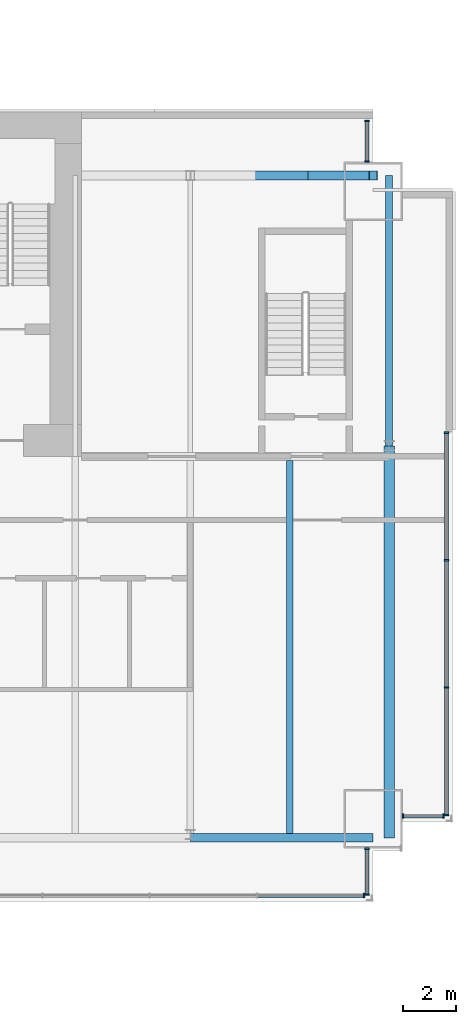
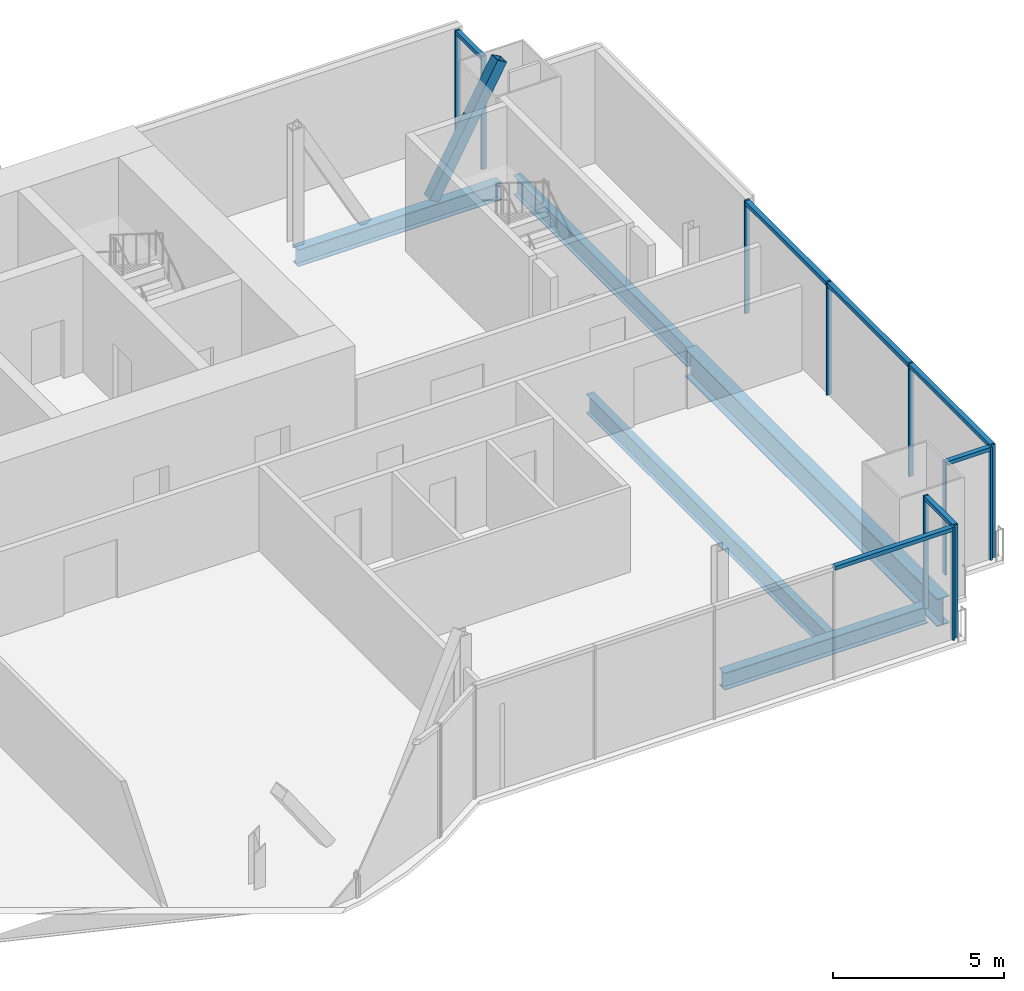
# One storey, part 12 of 20: 19 members, 5 beams, 5 elements without a shape of their own.
"""IFC4 building model written with IfcOpenShell, lengths in metres."""

import ifcopenshell
import ifcopenshell.guid

model = None  # the IFC model being written
_history = None  # IfcOwnerHistory: only IFC2X3 demands one
_inside = {}  # id of a spatial element -> (the spatial element, [elements in it])
_under = {}  # id of a project, library or spatial element -> (it, [spatial elements below it])
_declared = {}  # id of a project -> (the project, [libraries it declares])
_typed = {}  # id of a type object -> (the type object, [elements of that type])
_made_of = {}  # id of a material, layer set ... -> (it, [elements and type objects made of it])


def new_model(schema):
    """Start an empty IFC model of exactly this schema.

    Asked for "IFC4X3", IfcOpenShell would pick the latest addendum, in which some entities
    have other attributes; the version numbers below select the first issue.
    IFC2X3 requires an IfcOwnerHistory on every rooted entity: one is made here for all.
    """
    global model, _history
    if schema == "IFC4X3":
        model = ifcopenshell.file(schema_version=(4, 3, 0, 0))
    else:
        model = ifcopenshell.file(schema=schema)
    _inside.clear()
    _under.clear()
    _declared.clear()
    _typed.clear()
    _made_of.clear()
    _history = None
    if model.schema == "IFC2X3":
        org = make("IfcOrganization", Name="unknown")
        user = make(
            "IfcPersonAndOrganization",
            ThePerson=make("IfcPerson", FamilyName="unknown"),
            TheOrganization=org,
        )
        app = make(
            "IfcApplication",
            ApplicationDeveloper=org,
            Version="unknown",
            ApplicationFullName="unknown",
            ApplicationIdentifier="unknown",
        )
        _history = make(
            "IfcOwnerHistory",
            OwningUser=user,
            OwningApplication=app,
            ChangeAction="ADDED",
            CreationDate=0,
        )
    return model


def make(cls, **values):
    """One entity of the class cls with the attributes given. An attribute that is None is left unset."""
    return model.create_entity(
        cls, **{name: value for name, value in values.items() if value is not None}
    )


def rooted(cls, **values):
    """An entity with a GlobalId (a new one), such as an element, a storey or a relation."""
    return make(cls, GlobalId=ifcopenshell.guid.new(), OwnerHistory=_history, **values)


def si_unit(unit_type, name, prefix=None):
    """IfcSIUnit, for example si_unit("LENGTHUNIT", "METRE", prefix="MILLI")."""
    return make("IfcSIUnit", UnitType=unit_type, Prefix=prefix, Name=name)


def assignment(units):
    """IfcUnitAssignment: the units of a project."""
    return None if units is None else make("IfcUnitAssignment", Units=units)


def point(xyz):
    """IfcCartesianPoint."""
    return None if xyz is None else make("IfcCartesianPoint", Coordinates=xyz)


def direction(xyz):
    """IfcDirection."""
    return None if xyz is None else make("IfcDirection", DirectionRatios=xyz)


def frame(location, z_axis=None, x_axis=None):
    """IfcAxis2Placement3D, a coordinate frame: its origin and axes. An axis left out is left unset."""
    return make(
        "IfcAxis2Placement3D",
        Location=point(location),
        Axis=direction(z_axis),
        RefDirection=direction(x_axis),
    )


def frame_2d(location, x_axis=None):
    """IfcAxis2Placement2D, a coordinate frame in the plane: its origin and x axis."""
    return make(
        "IfcAxis2Placement2D", Location=point(location), RefDirection=direction(x_axis)
    )


def origin():
    """The frame at (0, 0, 0) with its axes left unset."""
    return frame((0.0, 0.0, 0.0))


def origin_2d():
    """The frame at (0, 0) in the plane with its x axis left unset."""
    return frame_2d((0.0, 0.0))


def place(relative_to, where):
    """IfcLocalPlacement: puts the frame where relative to a parent placement (None: the world)."""
    return make(
        "IfcLocalPlacement", PlacementRelTo=relative_to, RelativePlacement=where
    )


def context(
    kind, dimensions, precision=None, world=None, true_north=None, identifier=None
):
    """IfcGeometricRepresentationContext, for example the 3D "Model" context."""
    return make(
        "IfcGeometricRepresentationContext",
        ContextIdentifier=identifier,
        ContextType=kind,
        CoordinateSpaceDimension=dimensions,
        Precision=precision,
        WorldCoordinateSystem=world,
        TrueNorth=true_north,
    )


def subcontext(parent, identifier, kind, view, scale=None):
    """IfcGeometricRepresentationSubContext, for example "Body" below "Model"."""
    return make(
        "IfcGeometricRepresentationSubContext",
        ContextIdentifier=identifier,
        ContextType=kind,
        ParentContext=parent,
        TargetScale=scale,
        TargetView=view,
    )


def project(units=None, contexts=None):
    """IfcProject with its units and contexts."""
    return rooted(
        "IfcProject",
        Name="project",
        RepresentationContexts=contexts,
        UnitsInContext=assignment(units),
    )


def spatial(cls, under=None, at=None, **own):
    """A site, building, storey or space (cls), placed at a placement, below another one or the project."""
    s = rooted(cls, ObjectPlacement=at, **own)
    if under is not None:
        _under.setdefault(under.id(), (under, []))[1].append(s)
    return s


def profile(cls, at=None, kind="AREA", **sizes):
    """A parametric profile (cls). Its sizes go by their IFC names, for example OverallWidth=200.0."""
    return make(cls, ProfileType=kind, Position=at, **sizes)


def rectangle(**sizes):
    """IfcRectangleProfileDef."""
    return profile("IfcRectangleProfileDef", **sizes)


def hollow_rectangle(**sizes):
    """IfcRectangleHollowProfileDef."""
    return profile("IfcRectangleHollowProfileDef", **sizes)


def i_section(**sizes):
    """IfcIShapeProfileDef."""
    return profile("IfcIShapeProfileDef", **sizes)


def extrude(swept, where, along, depth):
    """IfcExtrudedAreaSolid: the profile swept, set in the frame where, extruded along a direction by depth."""
    return make(
        "IfcExtrudedAreaSolid",
        SweptArea=swept,
        Position=where,
        ExtrudedDirection=direction(along),
        Depth=depth,
    )


def shape(context_of_items, identifier, shape_type, items):
    """IfcShapeRepresentation: the items that make up one representation, for example the "Body"."""
    return make(
        "IfcShapeRepresentation",
        ContextOfItems=context_of_items,
        RepresentationIdentifier=identifier,
        RepresentationType=shape_type,
        Items=items,
    )


def material(Name=None, Category=None):
    """IfcMaterial."""
    return make("IfcMaterial", Name=Name, Category=Category)


def material_profile(
    of_material, cross_section, Name=None, Category=None, Priority=None
):
    """IfcMaterialProfile: a cross section and its material."""
    return make(
        "IfcMaterialProfile",
        Name=Name,
        Material=of_material,
        Profile=cross_section,
        Priority=Priority,
        Category=Category,
    )


def profile_set(profiles, Name=None, composite=None):
    """IfcMaterialProfileSet."""
    return make(
        "IfcMaterialProfileSet",
        Name=Name,
        MaterialProfiles=profiles,
        CompositeProfile=composite,
    )


def made_of(thing, what):
    """Note that an element or type object is made of a material, layer set ...; save() writes the relation."""
    if what is not None:
        _made_of.setdefault(what.id(), (what, []))[1].append(thing)
    return thing


def type_object(cls, material=None, **own):
    """A type object (cls), such as IfcWallType, which elements share."""
    return made_of(rooted(cls, **own), material)


def element(
    cls,
    number,
    at=None,
    inside=None,
    cuts=None,
    type_object=None,
    material=None,
    context=None,
    identifier="Body",
    shape_type=None,
    held_by="IfcProductDefinitionShape",
    body=None,
    shapes=None,
    **own,
):
    """One element of the class cls, such as IfcWall. Its Tag is "e" and its number.

    at: its placement. inside: the storey or other place that contains it. cuts: it is an
    opening in that element (IfcRelVoidsElement). A single representation is given by context,
    identifier, shape_type and body (its items); several are given by shapes. held_by: the class
    of the entity that holds the representations. save() writes the other relations.
    """
    e = rooted(cls, Tag="e%d" % number, ObjectPlacement=at, **own)
    if body is not None:
        shapes = [shape(context, identifier, shape_type, body)]
    if shapes is not None:
        e.Representation = make(held_by, Representations=shapes)
    if inside is not None:
        _inside.setdefault(inside.id(), (inside, []))[1].append(e)
    if cuts is not None:
        rooted(
            "IfcRelVoidsElement", RelatingBuildingElement=cuts, RelatedOpeningElement=e
        )
    if type_object is not None:
        _typed.setdefault(type_object.id(), (type_object, []))[1].append(e)
    return made_of(e, material)


def aggregate(whole, parts):
    """IfcRelAggregates: a whole, such as a stair, and the parts it consists of."""
    return rooted("IfcRelAggregates", RelatingObject=whole, RelatedObjects=parts)


def save(model, path):
    """Write the relations noted so far, then the file.

    IfcRelAggregates (storeys below a building ...), IfcRelContainedInSpatialStructure (elements
    in a storey), IfcRelDefinesByType, IfcRelAssociatesMaterial and IfcRelDeclares: one each for
    every whole, place, type object, material and project.
    """
    for whole, parts in _under.values():
        aggregate(whole, parts)
    for where, things in _inside.values():
        rooted(
            "IfcRelContainedInSpatialStructure",
            RelatedElements=things,
            RelatingStructure=where,
        )
    for kind, things in _typed.values():
        rooted("IfcRelDefinesByType", RelatedObjects=things, RelatingType=kind)
    for what, things in _made_of.values():
        rooted("IfcRelAssociatesMaterial", RelatedObjects=things, RelatingMaterial=what)
    for by, libraries in _declared.values():
        rooted("IfcRelDeclares", RelatingContext=by, RelatedDefinitions=libraries)
    model.write(path)


model = new_model("IFC4")

# Units and contexts
model_context = context("Model", 3, precision=1e-05, world=origin(), true_north=direction((0.0, 1.0)))
body_context = subcontext(model_context, "Body", "Model", "MODEL_VIEW")
ifc_project = project(units=[si_unit("LENGTHUNIT", "METRE"), si_unit("AREAUNIT", "SQUARE_METRE"), si_unit("VOLUMEUNIT", "CUBIC_METRE"), si_unit("PLANEANGLEUNIT", "RADIAN"), si_unit("MASSUNIT", "GRAM", prefix="KILO")], contexts=[model_context])

# Site, building, storey
site_placement = place(None, origin())
site = spatial("IfcSite", under=ifc_project, at=site_placement, CompositionType="ELEMENT")
building_placement = place(site_placement, origin())
building = spatial("IfcBuilding", under=site, at=building_placement, Name="Bicima Exchange Tower", CompositionType="ELEMENT")
storey_placement = place(building_placement, frame((0.0, 0.0, 249.800048828125)))
storey = spatial("IfcBuildingStorey", under=building, at=storey_placement, Name="L56", CompositionType="ELEMENT", Elevation=249.800048828125)

# Curtain wall, members
ifc_material_1 = material(Name="Anodised bronze aluminium", Category="aluminium")
curtain_wall_type_1 = type_object("IfcCurtainWallType", Name="End face glass wall", PredefinedType="NOTDEFINED", material=ifc_material_1)
curtain_wall_1_placement = place(storey_placement, origin())
curtain_wall_1 = element("IfcCurtainWall", 1, at=curtain_wall_1_placement, inside=storey, type_object=curtain_wall_type_1, Name="End face glass wall L56 run 19", PredefinedType="NOTDEFINED")
ifc_material_profile_1 = material_profile(ifc_material_1, rectangle(XDim=0.159912109375, YDim=0.06005859375, at=origin_2d()))
ifc_profile_set_1 = profile_set([ifc_material_profile_1], Name="Anodised bronze aluminium")
member_type_1 = type_object("IfcMemberType", Name="End face glass wall mullion 60 x 160", PredefinedType="MULLION", material=ifc_profile_set_1)
member_1_placement = place(storey_placement, frame((35.77001953125, -26.5400390625, 0.0), z_axis=(0.0, 0.0, 1.0), x_axis=(-1.0, 0.0, 0.0)))
member_1 = element("IfcMember", 2, at=member_1_placement, type_object=member_type_1, Name="End face glass wall mullion 1", PredefinedType="MULLION", context=body_context, shape_type="SweptSolid", body=[
    extrude(rectangle(XDim=0.159912109375, YDim=0.06005859375, at=origin_2d()), origin(), (0.0, 0.0, 1.0), 4.050048828125),
])
member_2_placement = place(storey_placement, frame((35.77001953125, -21.72998046875, 0.0), z_axis=(0.0, 0.0, 1.0), x_axis=(-1.0, 0.0, 0.0)))
member_2 = element("IfcMember", 3, at=member_2_placement, type_object=member_type_1, Name="End face glass wall mullion 2", PredefinedType="MULLION", context=body_context, shape_type="SweptSolid", body=[
    extrude(rectangle(XDim=0.159912109375, YDim=0.06005859375, at=origin_2d()), origin(), (0.0, 0.0, 1.0), 4.050048828125),
])
member_3_placement = place(storey_placement, frame((35.77001953125, -16.919921875, 0.0), z_axis=(0.0, 0.0, 1.0), x_axis=(-1.0, 0.0, 0.0)))
member_3 = element("IfcMember", 4, at=member_3_placement, type_object=member_type_1, Name="End face glass wall mullion 3", PredefinedType="MULLION", context=body_context, shape_type="SweptSolid", body=[
    extrude(rectangle(XDim=0.159912109375, YDim=0.06005859375, at=origin_2d()), origin(), (0.0, 0.0, 1.0), 4.050048828125),
])
member_4_placement = place(storey_placement, frame((35.77001953125, -12.110107421875, 0.0), z_axis=(0.0, 0.0, 1.0), x_axis=(-1.0, 0.0, 0.0)))
member_4 = element("IfcMember", 5, at=member_4_placement, type_object=member_type_1, Name="End face glass wall mullion 4", PredefinedType="MULLION", context=body_context, shape_type="SweptSolid", body=[
    extrude(rectangle(XDim=0.159912109375, YDim=0.06005859375, at=origin_2d()), origin(), (0.0, 0.0, 1.0), 4.050048828125),
])
ifc_material_profile_2 = material_profile(ifc_material_1, rectangle(XDim=0.159912109375, YDim=0.139892578125, at=origin_2d()))
ifc_profile_set_2 = profile_set([ifc_material_profile_2], Name="Anodised bronze aluminium")
member_type_2 = type_object("IfcMemberType", Name="End face glass wall transom 140 x 160", PredefinedType="USERDEFINED", material=ifc_profile_set_2)
member_5_placement = place(storey_placement, frame((35.77001953125, -26.510009765625, 3.97998046875), z_axis=(0.0, 1.0, 0.0), x_axis=(-1.0, 0.0, 0.0)))
member_5 = element("IfcMember", 6, at=member_5_placement, type_object=member_type_2, Name="End face glass wall transom 1.1", ObjectType="TRANSOM", PredefinedType="USERDEFINED", context=body_context, shape_type="SweptSolid", body=[
    extrude(rectangle(XDim=0.159912109375, YDim=0.139892578125, at=origin_2d()), origin(), (0.0, 0.0, 1.0), 4.75),
])
member_6_placement = place(storey_placement, frame((35.77001953125, -21.699951171875, 3.97998046875), z_axis=(0.0, 1.0, 0.0), x_axis=(-1.0, 0.0, 0.0)))
member_6 = element("IfcMember", 7, at=member_6_placement, type_object=member_type_2, Name="End face glass wall transom 2.1", ObjectType="TRANSOM", PredefinedType="USERDEFINED", context=body_context, shape_type="SweptSolid", body=[
    extrude(rectangle(XDim=0.159912109375, YDim=0.139892578125, at=origin_2d()), origin(), (0.0, 0.0, 1.0), 4.75),
])
member_7_placement = place(storey_placement, frame((35.77001953125, -16.889892578125, 3.97998046875), z_axis=(0.0, 1.0, 0.0), x_axis=(-1.0, 0.0, 0.0)))
member_7 = element("IfcMember", 8, at=member_7_placement, type_object=member_type_2, Name="End face glass wall transom 3.1", ObjectType="TRANSOM", PredefinedType="USERDEFINED", context=body_context, shape_type="SweptSolid", body=[
    extrude(rectangle(XDim=0.159912109375, YDim=0.139892578125, at=origin_2d()), origin(), (0.0, 0.0, 1.0), 4.75),
])
aggregate(curtain_wall_1, [member_1, member_2, member_3, member_4, member_5, member_6, member_7])

# Beams
ifc_material_2 = material(Name="Steel ASTM A992 Gr 50", Category="steel")
ifc_material_profile_3 = material_profile(ifc_material_2, i_section(OverallWidth=0.256591796875, OverallDepth=0.693359375, WebThickness=0.014404296875, FlangeThickness=0.023681640625, at=origin_2d()))
ifc_profile_set_3 = profile_set([ifc_material_profile_3], Name="Steel ASTM A992 Gr 50")
beam_type_1 = type_object("IfcBeamType", Name="End girder W27x114", PredefinedType="BEAM", material=ifc_profile_set_3)
beam_1_placement = place(storey_placement, frame((33.60009765625, -2.39990234375, -0.496826171875), z_axis=(0.0, -1.0, 0.0), x_axis=(1.0, 0.0, 0.0)))
element("IfcBeam", 9, at=beam_1_placement, inside=storey, type_object=beam_type_1, Name="End girder", PredefinedType="BEAM", context=body_context, shape_type="SweptSolid", body=[
    extrude(i_section(OverallWidth=0.256591796875, OverallDepth=0.693359375, WebThickness=0.014404296875, FlangeThickness=0.023681640625, at=origin_2d()), origin(), (0.0, 0.0, 1.0), 10.2001953125),
])
ifc_material_profile_4 = material_profile(ifc_material_2, i_section(OverallWidth=0.4013671875, OverallDepth=0.990478515625, WebThickness=0.0166015625, FlangeThickness=0.031005859375, at=origin_2d()))
ifc_profile_set_4 = profile_set([ifc_material_profile_4], Name="Steel ASTM A992 Gr 50")
beam_type_2 = type_object("IfcBeamType", Name="End girder W40x215", PredefinedType="BEAM", material=ifc_profile_set_4)
beam_2_placement = place(storey_placement, frame((33.60009765625, -12.60009765625, -0.645263671875), z_axis=(0.0, -1.0, 0.0), x_axis=(1.0, 0.0, 0.0)))
element("IfcBeam", 10, at=beam_2_placement, inside=storey, type_object=beam_type_2, Name="End girder", PredefinedType="BEAM", context=body_context, shape_type="SweptSolid", body=[
    extrude(i_section(OverallWidth=0.4013671875, OverallDepth=0.990478515625, WebThickness=0.0166015625, FlangeThickness=0.031005859375, at=origin_2d()), origin(), (0.0, 0.0, 1.0), 14.7998046875),
])
ifc_material_profile_5 = material_profile(ifc_material_2, i_section(OverallWidth=0.25390625, OverallDepth=0.67822265625, WebThickness=0.01171875, FlangeThickness=0.016357421875, at=origin_2d()))
ifc_profile_set_5 = profile_set([ifc_material_profile_5], Name="Steel ASTM A992 Gr 50")
beam_type_3 = type_object("IfcBeamType", Name="Floor beam W27x84", PredefinedType="JOIST", material=ifc_profile_set_5)
beam_3_placement = place(storey_placement, frame((29.85009765625, -13.15234375, -0.4892578125), z_axis=(0.0, -1.0, 0.0), x_axis=(1.0, 0.0, 0.0)))
element("IfcBeam", 11, at=beam_3_placement, inside=storey, type_object=beam_type_3, Name="Floor beam", PredefinedType="JOIST", context=body_context, shape_type="SweptSolid", body=[
    extrude(i_section(OverallWidth=0.25390625, OverallDepth=0.67822265625, WebThickness=0.01171875, FlangeThickness=0.016357421875, at=origin_2d()), origin(), (0.0, 0.0, 1.0), 14.0849609375),
])
ifc_material_profile_6 = material_profile(ifc_material_2, i_section(OverallWidth=0.3251953125, OverallDepth=0.612060546875, WebThickness=0.0126953125, FlangeThickness=0.01904296875, at=origin_2d()))
ifc_profile_set_6 = profile_set([ifc_material_profile_6], Name="Steel ASTM A992 Gr 50")
beam_type_4 = type_object("IfcBeamType", Name="Front girder W24x104", PredefinedType="BEAM", material=ifc_profile_set_6)
beam_4_placement = place(storey_placement, frame((26.10009765625, -27.39990234375, -0.4560546875), z_axis=(1.0, 0.0, 0.0), x_axis=(0.0, 1.0, 0.0)))
element("IfcBeam", 12, at=beam_4_placement, inside=storey, type_object=beam_type_4, Name="Front girder", PredefinedType="BEAM", context=body_context, shape_type="SweptSolid", body=[
    extrude(i_section(OverallWidth=0.3251953125, OverallDepth=0.612060546875, WebThickness=0.0126953125, FlangeThickness=0.01904296875, at=origin_2d()), origin(), (0.0, 0.0, 1.0), 6.89990234375),
])

# Curtain wall, member
curtain_wall_type_2 = type_object("IfcCurtainWallType", Name="Front glass wall", PredefinedType="NOTDEFINED", material=ifc_material_1)
curtain_wall_2_placement = place(storey_placement, origin())
curtain_wall_2 = element("IfcCurtainWall", 13, at=curtain_wall_2_placement, inside=storey, type_object=curtain_wall_type_2, Name="Front glass wall L56 run 16", PredefinedType="NOTDEFINED")
member_type_3 = type_object("IfcMemberType", Name="Front glass wall mullion 60 x 160", PredefinedType="MULLION", material=ifc_profile_set_1)
member_8_placement = place(storey_placement, frame((32.659912109375, -29.570068359375, 0.0), z_axis=(0.0, 0.0, 1.0), x_axis=(0.0, 1.0, 0.0)))
member_8 = element("IfcMember", 14, at=member_8_placement, type_object=member_type_3, Name="Front glass wall mullion 5", PredefinedType="MULLION", context=body_context, shape_type="SweptSolid", body=[
    extrude(rectangle(XDim=0.159912109375, YDim=0.06005859375, at=origin_2d()), origin(), (0.0, 0.0, 1.0), 4.050048828125),
])

# Curtain wall, members
curtain_wall_3_placement = place(storey_placement, origin())
curtain_wall_3 = element("IfcCurtainWall", 15, at=curtain_wall_3_placement, inside=storey, type_object=curtain_wall_type_2, Name="Front glass wall L56 run 17", PredefinedType="NOTDEFINED")
member_9_placement = place(storey_placement, frame((32.77001953125, -29.5400390625, 0.0), z_axis=(0.0, 0.0, 1.0), x_axis=(-1.0, 0.0, 0.0)))
member_9 = element("IfcMember", 16, at=member_9_placement, type_object=member_type_3, Name="Front glass wall mullion 1", PredefinedType="MULLION", context=body_context, shape_type="SweptSolid", body=[
    extrude(rectangle(XDim=0.159912109375, YDim=0.06005859375, at=origin_2d()), origin(), (0.0, 0.0, 1.0), 4.050048828125),
])
member_10_placement = place(storey_placement, frame((32.77001953125, -27.80810546875, 0.0), z_axis=(0.0, 0.0, 1.0), x_axis=(-1.0, 0.0, 0.0)))
member_10 = element("IfcMember", 17, at=member_10_placement, type_object=member_type_3, Name="Front glass wall mullion 2", PredefinedType="MULLION", context=body_context, shape_type="SweptSolid", body=[
    extrude(rectangle(XDim=0.159912109375, YDim=0.06005859375, at=origin_2d()), origin(), (0.0, 0.0, 1.0), 4.050048828125),
])

curtain_wall_4_placement = place(storey_placement, origin())
curtain_wall_4 = element("IfcCurtainWall", 18, at=curtain_wall_4_placement, inside=storey, type_object=curtain_wall_type_2, Name="Front glass wall L56 run 18", PredefinedType="NOTDEFINED")
member_11_placement = place(storey_placement, frame((34.1298828125, -26.570068359375, 0.0), z_axis=(0.0, 0.0, 1.0), x_axis=(0.0, 1.0, 0.0)))
member_11 = element("IfcMember", 19, at=member_11_placement, type_object=member_type_3, Name="Front glass wall mullion 1", PredefinedType="MULLION", context=body_context, shape_type="SweptSolid", body=[
    extrude(rectangle(XDim=0.159912109375, YDim=0.06005859375, at=origin_2d()), origin(), (0.0, 0.0, 1.0), 4.050048828125),
])
member_12_placement = place(storey_placement, frame((35.659912109375, -26.570068359375, 0.0), z_axis=(0.0, 0.0, 1.0), x_axis=(0.0, 1.0, 0.0)))
member_12 = element("IfcMember", 20, at=member_12_placement, type_object=member_type_3, Name="Front glass wall mullion 2", PredefinedType="MULLION", context=body_context, shape_type="SweptSolid", body=[
    extrude(rectangle(XDim=0.159912109375, YDim=0.06005859375, at=origin_2d()), origin(), (0.0, 0.0, 1.0), 4.050048828125),
])

curtain_wall_5_placement = place(storey_placement, origin())
curtain_wall_5 = element("IfcCurtainWall", 21, at=curtain_wall_5_placement, inside=storey, type_object=curtain_wall_type_2, Name="Front glass wall L56 run 20", PredefinedType="NOTDEFINED")
member_13_placement = place(storey_placement, frame((32.77001953125, -1.8701171875, 0.0), z_axis=(0.0, 0.0, 1.0), x_axis=(-1.0, 0.0, 0.0)))
member_13 = element("IfcMember", 22, at=member_13_placement, type_object=member_type_3, Name="Front glass wall mullion 1", PredefinedType="MULLION", context=body_context, shape_type="SweptSolid", body=[
    extrude(rectangle(XDim=0.159912109375, YDim=0.06005859375, at=origin_2d()), origin(), (0.0, 0.0, 1.0), 4.050048828125),
])
member_14_placement = place(storey_placement, frame((32.77001953125, -0.340087890625, 0.0), z_axis=(0.0, 0.0, 1.0), x_axis=(-1.0, 0.0, 0.0)))
member_14 = element("IfcMember", 23, at=member_14_placement, type_object=member_type_3, Name="Front glass wall mullion 2", PredefinedType="MULLION", context=body_context, shape_type="SweptSolid", body=[
    extrude(rectangle(XDim=0.159912109375, YDim=0.06005859375, at=origin_2d()), origin(), (0.0, 0.0, 1.0), 4.050048828125),
])

# Member
member_type_4 = type_object("IfcMemberType", Name="Front glass wall transom 140 x 160", PredefinedType="USERDEFINED", material=ifc_profile_set_2)
member_15_placement = place(storey_placement, frame((28.640380859375, -29.570068359375, 3.97998046875), z_axis=(1.0, 0.0, 0.0), x_axis=(0.0, 1.0, 0.0)))
member_15 = element("IfcMember", 24, at=member_15_placement, type_object=member_type_4, Name="Front glass wall transom 4.1", ObjectType="TRANSOM", PredefinedType="USERDEFINED", context=body_context, shape_type="SweptSolid", body=[
    extrude(rectangle(XDim=0.159912109375, YDim=0.139892578125, at=origin_2d()), origin(), (0.0, 0.0, 1.0), 3.989501953125),
])

aggregate(curtain_wall_2, [member_8, member_15])

member_16_placement = place(storey_placement, frame((32.77001953125, -29.510009765625, 3.97998046875), z_axis=(0.0, 1.0, 0.0), x_axis=(-1.0, 0.0, 0.0)))
member_16 = element("IfcMember", 25, at=member_16_placement, type_object=member_type_4, Name="Front glass wall transom 1.1", ObjectType="TRANSOM", PredefinedType="USERDEFINED", context=body_context, shape_type="SweptSolid", body=[
    extrude(rectangle(XDim=0.159912109375, YDim=0.139892578125, at=origin_2d()), origin(), (0.0, 0.0, 1.0), 1.672119140625),
])

aggregate(curtain_wall_3, [member_9, member_10, member_16])

member_17_placement = place(storey_placement, frame((34.159912109375, -26.570068359375, 3.97998046875), z_axis=(1.0, 0.0, 0.0), x_axis=(0.0, 1.0, 0.0)))
member_17 = element("IfcMember", 26, at=member_17_placement, type_object=member_type_4, Name="Front glass wall transom 1.1", ObjectType="TRANSOM", PredefinedType="USERDEFINED", context=body_context, shape_type="SweptSolid", body=[
    extrude(rectangle(XDim=0.159912109375, YDim=0.139892578125, at=origin_2d()), origin(), (0.0, 0.0, 1.0), 1.469970703125),
])

aggregate(curtain_wall_4, [member_11, member_12, member_17])

member_18_placement = place(storey_placement, frame((32.77001953125, -1.840087890625, 3.97998046875), z_axis=(0.0, 1.0, 0.0), x_axis=(-1.0, 0.0, 0.0)))
member_18 = element("IfcMember", 27, at=member_18_placement, type_object=member_type_4, Name="Front glass wall transom 1.1", ObjectType="TRANSOM", PredefinedType="USERDEFINED", context=body_context, shape_type="SweptSolid", body=[
    extrude(rectangle(XDim=0.159912109375, YDim=0.139892578125, at=origin_2d()), origin(), (0.0, 0.0, 1.0), 1.469970703125),
])

aggregate(curtain_wall_5, [member_13, member_14, member_18])

ifc_material_3 = material(Name="Steel ASTM A572 Gr 50", Category="steel")
ifc_material_profile_7 = material_profile(ifc_material_3, hollow_rectangle(XDim=0.355712890625, YDim=0.355712890625, WallThickness=0.0146484375, at=origin_2d()))
ifc_profile_set_7 = profile_set([ifc_material_profile_7], Name="Steel ASTM A572 Gr 50")
member_type_5 = type_object("IfcMemberType", Name="Mega brace HSS14x14x5/8", PredefinedType="BRACE", material=ifc_profile_set_7)
member_19_placement = place(storey_placement, frame((30.699951171875, -2.39990234375, 0.0), z_axis=(0.48032676309, 0.0, 0.877089619514), x_axis=(0.0, 1.0, 0.0)))
element("IfcMember", 28, at=member_19_placement, inside=storey, type_object=member_type_5, Name="Mega brace rear", PredefinedType="BRACE", context=body_context, shape_type="SweptSolid", body=[
    extrude(hollow_rectangle(XDim=0.355712890625, YDim=0.355712890625, WallThickness=0.0146484375, at=origin_2d()), origin(), (0.0, 0.0, 1.0), 4.78857421875),
])

# Beam
beam_type_5 = type_object("IfcBeamType", Name="Rear girder W24x104", PredefinedType="BEAM", material=ifc_profile_set_6)
beam_5_placement = place(storey_placement, frame((26.10009765625, -2.39990234375, -0.4560546875), z_axis=(1.0, 0.0, 0.0), x_axis=(0.0, 1.0, 0.0)))
element("IfcBeam", 29, at=beam_5_placement, inside=storey, type_object=beam_type_5, Name="Rear girder", PredefinedType="BEAM", context=body_context, shape_type="SweptSolid", body=[
    extrude(i_section(OverallWidth=0.3251953125, OverallDepth=0.612060546875, WebThickness=0.0126953125, FlangeThickness=0.01904296875, at=origin_2d()), origin(), (0.0, 0.0, 1.0), 6.89990234375),
])

save(model, "model.ifc")
